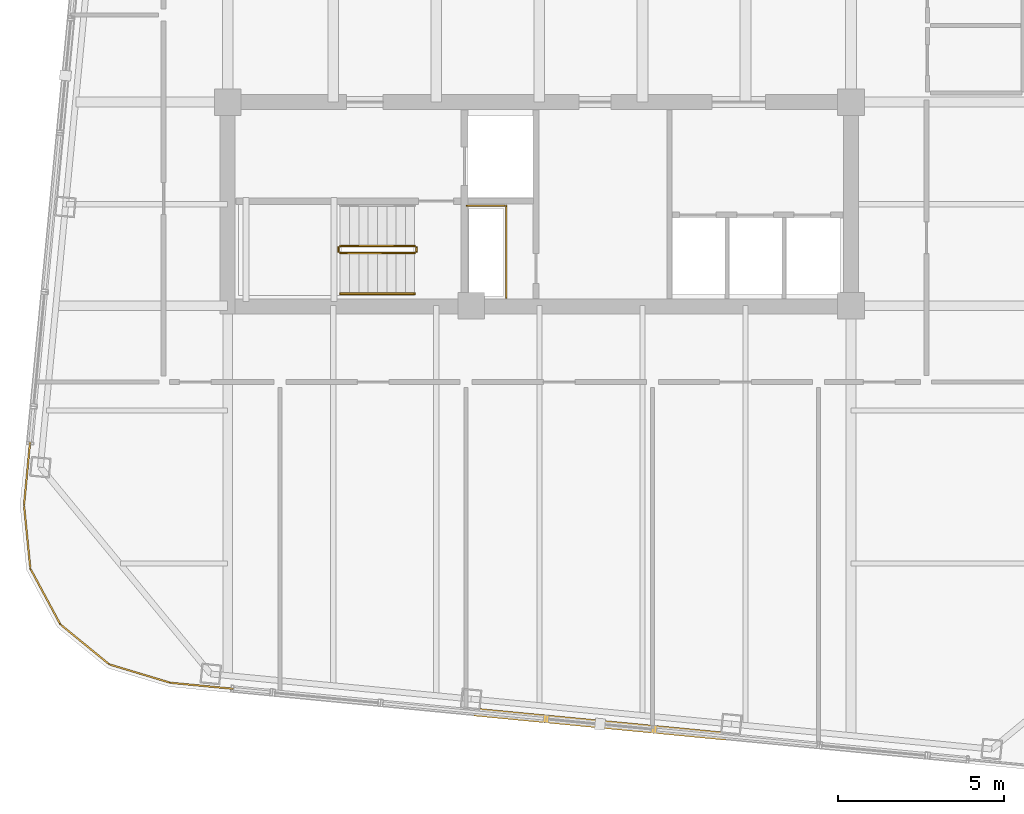
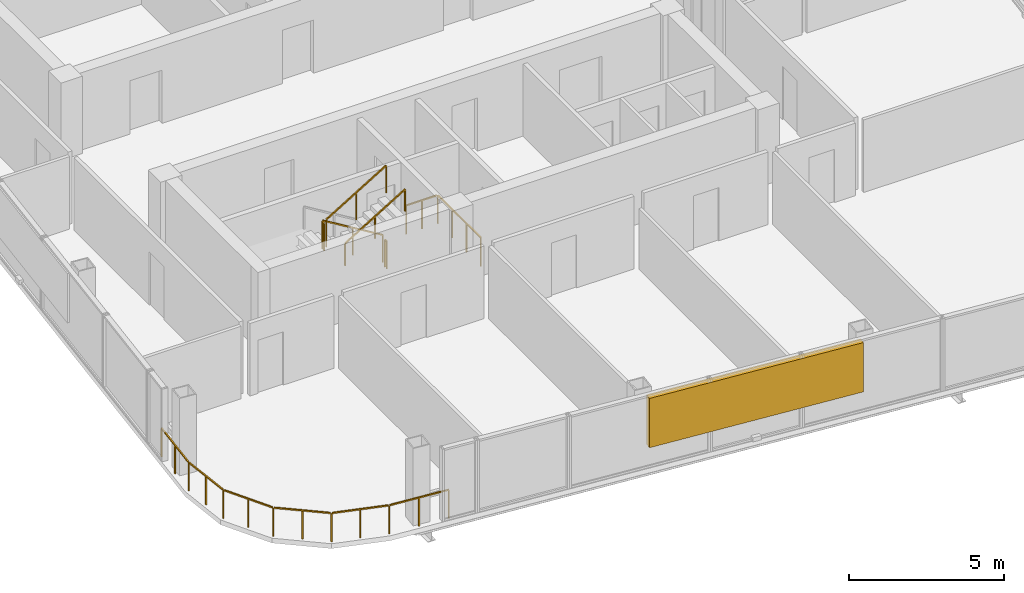
# One storey, part 24 of 27: 7 railings, 1 shading device.
"""IFC4 building model written with IfcOpenShell, lengths in metres."""

from ifc_helpers import new_model, si_unit, direction, frame, origin, origin_2d, place, context, subcontext, project, spatial, rectangle, extrude, material, type_object, element, save


model = new_model("IFC4")

# Units and contexts
model_context = context("Model", 3, precision=1e-05, world=origin(), true_north=direction((0.0, 1.0)))
body_context = subcontext(model_context, "Body", "Model", "MODEL_VIEW")
ifc_project = project(units=[si_unit("LENGTHUNIT", "METRE"), si_unit("AREAUNIT", "SQUARE_METRE"), si_unit("VOLUMEUNIT", "CUBIC_METRE"), si_unit("PLANEANGLEUNIT", "RADIAN"), si_unit("MASSUNIT", "GRAM", prefix="KILO")], contexts=[model_context])

# Site, building, storey
site_placement = place(None, origin())
site = spatial("IfcSite", under=ifc_project, at=site_placement, CompositionType="ELEMENT")
building_placement = place(site_placement, origin())
building = spatial("IfcBuilding", under=site, at=building_placement, Name="Qhalaya Broadcast Tower", CompositionType="ELEMENT")
storey_placement = place(building_placement, frame((0.0, 0.0, 258.10009765625)))
storey = spatial("IfcBuildingStorey", under=building, at=storey_placement, Name="L76", CompositionType="ELEMENT", Elevation=258.10009765625)

# Railings
ifc_material_1 = material(Name="Powder-Coated Galvanised Steel", Category="steel")
railing_type_1 = type_object("IfcRailingType", Name="Stair Wall Handrail 900", PredefinedType="HANDRAIL", material=ifc_material_1)
railing_1_placement = place(storey_placement, frame((-5.989990234375, -8.389892578125, 1.6943359375)))
element("IfcRailing", 1, at=railing_1_placement, inside=storey, type_object=railing_type_1, Name="L76 ST-2 Stair Handrail 2", PredefinedType="HANDRAIL", context=body_context, shape_type="SweptSolid", body=[
    extrude(rectangle(XDim=0.048095703125, YDim=0.048095703125, at=origin_2d()), frame((0.0, 0.0, 0.8759765625), z_axis=(0.855553338991, 0.0, 0.51771467445), x_axis=(0.0, 1.0, 0.0)), (0.0, 0.0, 1.0), 2.6181640625),
    extrude(rectangle(XDim=0.0419921875, YDim=0.0419921875, at=origin_2d()), origin(), (0.0, 0.0, 1.0), 0.849853515625),
    extrude(rectangle(XDim=0.0419921875, YDim=0.0419921875, at=origin_2d()), frame((1.1201171875, 0.0, 0.677734375)), (0.0, 0.0, 1.0), 0.849853515625),
    extrude(rectangle(XDim=0.0419921875, YDim=0.0419921875, at=origin_2d()), frame((2.239990234375, 0.0, 1.35546875)), (0.0, 0.0, 1.0), 0.849853515625),
])
railing_type_2 = type_object("IfcRailingType", Name="Stair Well & Landing Guardrail 1100", PredefinedType="GUARDRAIL", material=ifc_material_1)
railing_2_placement = place(storey_placement, frame((-1.0, -8.52001953125, 0.0)))
element("IfcRailing", 2, at=railing_2_placement, inside=storey, type_object=railing_type_2, Name="L76 Service Riser Opening Safety Guard SRSR", PredefinedType="GUARDRAIL", context=body_context, shape_type="SweptSolid", body=[
    extrude(rectangle(XDim=0.048095703125, YDim=0.048095703125, at=origin_2d()), frame((0.0, 0.0, 1.1259765625), z_axis=(0.0, 1.0, 0.0), x_axis=(-1.0, 0.0, 0.0)), (0.0, 0.0, 1.0), 2.751220703125),
    extrude(rectangle(XDim=0.048095703125, YDim=0.048095703125, at=origin_2d()), frame((-0.02880859375, 2.780029296875, 1.1259765625), z_axis=(-1.0, 0.0, 0.0), x_axis=(0.0, -1.0, 0.0)), (0.0, 0.0, 1.0), 1.151123046875),
    extrude(rectangle(XDim=0.0419921875, YDim=0.0419921875, at=origin_2d()), origin(), (0.0, 0.0, 1.0), 1.099853515625),
    extrude(rectangle(XDim=0.0419921875, YDim=0.0419921875, at=origin_2d()), frame((0.0, 0.9267578125, 0.0)), (0.0, 0.0, 1.0), 1.099853515625),
    extrude(rectangle(XDim=0.0419921875, YDim=0.0419921875, at=origin_2d()), frame((0.0, 1.853271484375, 0.0)), (0.0, 0.0, 1.0), 1.099853515625),
    extrude(rectangle(XDim=0.0419921875, YDim=0.0419921875, at=origin_2d()), frame((0.0, 2.780029296875, 0.0)), (0.0, 0.0, 1.0), 1.099853515625),
    extrude(rectangle(XDim=0.0419921875, YDim=0.0419921875, at=origin_2d()), frame((-0.58984375, 2.780029296875, 0.0)), (0.0, 0.0, 1.0), 1.099853515625),
    extrude(rectangle(XDim=0.0419921875, YDim=0.0419921875, at=origin_2d()), frame((-1.179931640625, 2.780029296875, 0.0)), (0.0, 0.0, 1.0), 1.099853515625),
])
railing_3_placement = place(storey_placement, frame((-3.75, -6.949951171875, 0.16943359375)))
element("IfcRailing", 3, at=railing_3_placement, inside=storey, type_object=railing_type_2, Name="L76 ST-2 Stair Guard 1", PredefinedType="GUARDRAIL", context=body_context, shape_type="SweptSolid", body=[
    extrude(rectangle(XDim=0.048095703125, YDim=0.048095703125, at=origin_2d()), frame((0.0, 0.0, 1.076171875), z_axis=(-0.855553338991, 0.0, 0.51771467445), x_axis=(0.0, -1.0, 0.0)), (0.0, 0.0, 1.0), 2.6181640625),
    extrude(rectangle(XDim=0.0419921875, YDim=0.0419921875, at=origin_2d()), origin(), (0.0, 0.0, 1.0), 1.050048828125),
    extrude(rectangle(XDim=0.0419921875, YDim=0.0419921875, at=origin_2d()), frame((-1.1201171875, 0.0, 0.677734375)), (0.0, 0.0, 1.0), 1.050048828125),
    extrude(rectangle(XDim=0.0419921875, YDim=0.0419921875, at=origin_2d()), frame((-2.239990234375, 0.0, 1.35546875)), (0.0, 0.0, 1.0), 1.050048828125),
])
railing_4_placement = place(storey_placement, frame((-6.0400390625, -7.0, 1.52490234375)))
element("IfcRailing", 4, at=railing_4_placement, inside=storey, type_object=railing_type_2, Name="L76 ST-2 Stair Guard 2", PredefinedType="GUARDRAIL", context=body_context, shape_type="SweptSolid", body=[
    extrude(rectangle(XDim=0.048095703125, YDim=0.048095703125, at=origin_2d()), frame((0.0, 0.0, 1.076171875), z_axis=(0.0, -1.0, 0.0), x_axis=(1.0, 0.0, 0.0)), (0.0, 0.0, 1.0), 0.1201171875),
    extrude(rectangle(XDim=0.0419921875, YDim=0.0419921875, at=origin_2d()), origin(), (0.0, 0.0, 1.0), 1.050048828125),
    extrude(rectangle(XDim=0.0419921875, YDim=0.0419921875, at=origin_2d()), frame((0.0, -0.1201171875, 0.0)), (0.0, 0.0, 1.0), 1.050048828125),
])
railing_5_placement = place(storey_placement, frame((-5.989990234375, -7.169921875, 1.6943359375)))
element("IfcRailing", 5, at=railing_5_placement, inside=storey, type_object=railing_type_2, Name="L76 ST-2 Stair Guard 3", PredefinedType="GUARDRAIL", context=body_context, shape_type="SweptSolid", body=[
    extrude(rectangle(XDim=0.048095703125, YDim=0.048095703125, at=origin_2d()), frame((0.0, 0.0, 1.076171875), z_axis=(0.855553338991, 0.0, 0.51771467445), x_axis=(0.0, 1.0, 0.0)), (0.0, 0.0, 1.0), 2.6181640625),
    extrude(rectangle(XDim=0.0419921875, YDim=0.0419921875, at=origin_2d()), origin(), (0.0, 0.0, 1.0), 1.050048828125),
    extrude(rectangle(XDim=0.0419921875, YDim=0.0419921875, at=origin_2d()), frame((1.1201171875, 0.0, 0.677734375)), (0.0, 0.0, 1.0), 1.050048828125),
    extrude(rectangle(XDim=0.0419921875, YDim=0.0419921875, at=origin_2d()), frame((2.239990234375, 0.0, 1.35546875)), (0.0, 0.0, 1.0), 1.050048828125),
])
railing_6_placement = place(storey_placement, frame((-3.699951171875, -7.0, 0.0)))
element("IfcRailing", 6, at=railing_6_placement, inside=storey, type_object=railing_type_2, Name="L76 ST-2 Stair Guard 4", PredefinedType="GUARDRAIL", context=body_context, shape_type="SweptSolid", body=[
    extrude(rectangle(XDim=0.048095703125, YDim=0.048095703125, at=origin_2d()), frame((0.0, 0.0, 1.076171875), z_axis=(0.0, -1.0, 0.0), x_axis=(1.0, 0.0, 0.0)), (0.0, 0.0, 1.0), 0.1201171875),
    extrude(rectangle(XDim=0.0419921875, YDim=0.0419921875, at=origin_2d()), origin(), (0.0, 0.0, 1.0), 1.050048828125),
    extrude(rectangle(XDim=0.0419921875, YDim=0.0419921875, at=origin_2d()), frame((0.0, -0.1201171875, 0.0)), (0.0, 0.0, 1.0), 1.050048828125),
])
railing_type_3 = type_object("IfcRailingType", Name="Terrace, Sky-Pool & Lookout Glass Balustrade 1150", PredefinedType="BALUSTRADE", material=ifc_material_1)
railing_7_placement = place(storey_placement, frame((-8.99365234375, -20.2958984375, 0.0)))
element("IfcRailing", 7, at=railing_7_placement, inside=storey, type_object=railing_type_3, Name="L76 Rounded Corner Perimeter Guard 02", PredefinedType="BALUSTRADE", context=body_context, shape_type="SweptSolid", body=[
    extrude(rectangle(XDim=0.048095703125, YDim=0.048095703125, at=origin_2d()), frame((0.0, 0.0, 1.1259765625), z_axis=(-0.995391273094, 0.095896889673, 0.0), x_axis=(-0.095896889673, -0.995391273094, 0.0)), (0.0, 0.0, 1.0), 2.08935546875),
    extrude(rectangle(XDim=0.048095703125, YDim=0.048095703125, at=origin_2d()), frame((-2.135986328125, 0.21142578125, 1.1259765625), z_axis=(-0.957601447485, 0.288096282124, 0.0), x_axis=(-0.288096282124, -0.957601447485, 0.0)), (0.0, 0.0, 1.0), 1.857421875),
    extrude(rectangle(XDim=0.048095703125, YDim=0.048095703125, at=origin_2d()), frame((-3.96484375, 0.773193359375, 1.1259765625), z_axis=(-0.774357190213, 0.63274871945, 0.0), x_axis=(-0.63274871945, -0.774357190213, 0.0)), (0.0, 0.0, 1.0), 1.845703125),
    extrude(rectangle(XDim=0.048095703125, YDim=0.048095703125, at=origin_2d()), frame((-5.429931640625, 1.984619140625, 1.1259765625), z_axis=(-0.473342342286, 0.880878554058, 0.0), x_axis=(-0.880878554058, -0.473342342286, 0.0)), (0.0, 0.0, 1.0), 1.845458984375),
    extrude(rectangle(XDim=0.048095703125, YDim=0.048095703125, at=origin_2d()), frame((-6.320068359375, 3.66455078125, 1.1259765625), z_axis=(-0.100071682341, 0.994980230152, 0.0), x_axis=(-0.994980230152, -0.100071682341, 0.0)), (0.0, 0.0, 1.0), 1.857421875),
    extrude(rectangle(XDim=0.048095703125, YDim=0.048095703125, at=origin_2d()), frame((-6.506103515625, 5.570068359375, 1.1259765625), z_axis=(0.095782687057, 0.995402268864, 0.0), x_axis=(-0.995402268864, 0.095782687057, 0.0)), (0.0, 0.0, 1.0), 2.08935546875),
    extrude(rectangle(XDim=0.0419921875, YDim=0.0419921875, at=origin_2d()), origin(), (0.0, 0.0, 1.0), 1.099853515625),
    extrude(rectangle(XDim=0.0419921875, YDim=0.0419921875, at=origin_2d()), frame((-1.05419921875, 0.1015625, 0.0)), (0.0, 0.0, 1.0), 1.099853515625),
    extrude(rectangle(XDim=0.0419921875, YDim=0.0419921875, at=origin_2d()), frame((-2.1083984375, 0.203125, 0.0)), (0.0, 0.0, 1.0), 1.099853515625),
    extrude(rectangle(XDim=0.0419921875, YDim=0.0419921875, at=origin_2d()), frame((-3.025390625, 0.47900390625, 0.0)), (0.0, 0.0, 1.0), 1.099853515625),
    extrude(rectangle(XDim=0.0419921875, YDim=0.0419921875, at=origin_2d()), frame((-3.9423828125, 0.7548828125, 0.0)), (0.0, 0.0, 1.0), 1.099853515625),
    extrude(rectangle(XDim=0.0419921875, YDim=0.0419921875, at=origin_2d()), frame((-4.67919921875, 1.35693359375, 0.0)), (0.0, 0.0, 1.0), 1.099853515625),
    extrude(rectangle(XDim=0.0419921875, YDim=0.0419921875, at=origin_2d()), frame((-5.416259765625, 1.959228515625, 0.0)), (0.0, 0.0, 1.0), 1.099853515625),
    extrude(rectangle(XDim=0.0419921875, YDim=0.0419921875, at=origin_2d()), frame((-5.86669921875, 2.79736328125, 0.0)), (0.0, 0.0, 1.0), 1.099853515625),
    extrude(rectangle(XDim=0.0419921875, YDim=0.0419921875, at=origin_2d()), frame((-6.317138671875, 3.6357421875, 0.0)), (0.0, 0.0, 1.0), 1.099853515625),
    extrude(rectangle(XDim=0.0419921875, YDim=0.0419921875, at=origin_2d()), frame((-6.4130859375, 4.58837890625, 0.0)), (0.0, 0.0, 1.0), 1.099853515625),
    extrude(rectangle(XDim=0.0419921875, YDim=0.0419921875, at=origin_2d()), frame((-6.5087890625, 5.541259765625, 0.0)), (0.0, 0.0, 1.0), 1.099853515625),
    extrude(rectangle(XDim=0.0419921875, YDim=0.0419921875, at=origin_2d()), frame((-6.4072265625, 6.595458984375, 0.0)), (0.0, 0.0, 1.0), 1.099853515625),
    extrude(rectangle(XDim=0.0419921875, YDim=0.0419921875, at=origin_2d()), frame((-6.305908203125, 7.649658203125, 0.0)), (0.0, 0.0, 1.0), 1.099853515625),
])

# Shading device
ifc_material_2 = material(Name="Fired Architectural Terracotta", Category="masonry")
shading_device_type = type_object("IfcShadingDeviceType", Name="Terracotta Baguette Solar Screen Assembly TBS-01", PredefinedType="USERDEFINED", material=ifc_material_2)
shading_device_placement = place(storey_placement, frame((1.826171875, -21.337646484375, 0.80078125), z_axis=(0.0, 0.0, 1.0), x_axis=(0.995396198367, -0.09584575252, 0.0)))
element("IfcShadingDevice", 8, at=shading_device_placement, inside=storey, type_object=shading_device_type, Name="L76 Fired Terracotta Baguette Screen S", ObjectType="BAGUETTE", PredefinedType="USERDEFINED", context=body_context, shape_type="SweptSolid", body=[
    extrude(rectangle(XDim=7.60009765625, YDim=0.239990234375, at=origin_2d()), origin(), (0.0, 0.0, 1.0), 1.945068359375),
])

save(model, "model.ifc")
